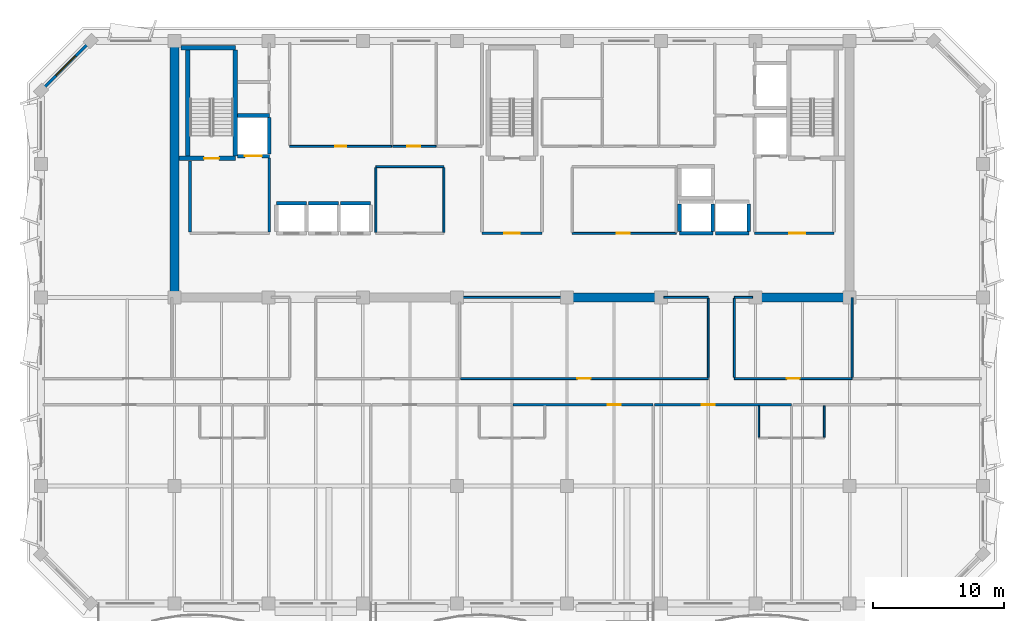
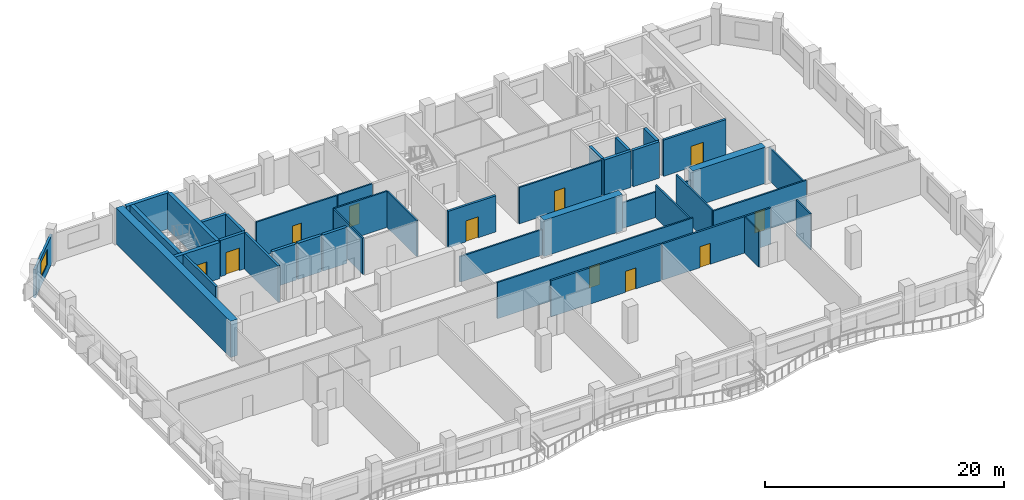
# One storey, part 5 of 10: 41 walls, 11 doors, 1 window, 12 openings.
"""IFC4 building model written with IfcOpenShell, lengths in metres."""

from ifc_helpers import new_model, si_unit, direction, frame, frame_2d, origin, place, context, subcontext, project, spatial, rectangle, extrude, material, layer, layer_set, type_object, element, fill, save


model = new_model("IFC4")

# Units and contexts
model_context = context("Model", 3, precision=1e-05, world=origin(), true_north=direction((0.0, 1.0)))
body_context = subcontext(model_context, "Body", "Model", "MODEL_VIEW")
ifc_project = project(units=[si_unit("LENGTHUNIT", "METRE"), si_unit("AREAUNIT", "SQUARE_METRE"), si_unit("VOLUMEUNIT", "CUBIC_METRE"), si_unit("PLANEANGLEUNIT", "RADIAN"), si_unit("MASSUNIT", "GRAM", prefix="KILO")], contexts=[model_context])

# Site, building, storey
site_placement = place(None, origin())
site = spatial("IfcSite", under=ifc_project, at=site_placement, CompositionType="ELEMENT")
building_placement = place(site_placement, origin())
building = spatial("IfcBuilding", under=site, at=building_placement, Name="Kaelvorn Grand Hotel", CompositionType="ELEMENT")
storey_placement = place(building_placement, frame((0.0, 0.0, 260.75)))
storey = spatial("IfcBuildingStorey", under=building, at=storey_placement, Name="L64", CompositionType="ELEMENT", Elevation=260.75)

# Walls
ifc_material_1 = material(Name="Concrete C50/60", Category="concrete")
ifc_layer_1 = layer(ifc_material_1, 0.699951171875)
ifc_layer_set_1 = layer_set([ifc_layer_1], Name="Concrete C50/60")
wall_type_1 = type_object("IfcWallType", Name="WL-CORE-700-C50", PredefinedType="SHEAR", material=ifc_layer_set_1)
wall_1_placement = place(storey_placement, frame((16.199951171875, 29.39990234375, 0.0), z_axis=(0.0, 0.0, 1.0), x_axis=(0.0, 1.0, 0.0)))
element("IfcWall", 1, at=wall_1_placement, inside=storey, type_object=wall_type_1, Name="L64 Rear-Core West Shear Wall", PredefinedType="SHEAR", context=body_context, shape_type="SweptSolid", body=[
    extrude(rectangle(XDim=19.2001953125, YDim=0.699951171875, at=frame_2d((9.60009765625, 0.0))), origin(), (0.0, 0.0, 1.0), 3.7099609375),
])
wall_2_placement = place(storey_placement, frame((46.0, 29.39990234375, 0.0), z_axis=(0.0, 0.0, 1.0), x_axis=(1.0, 0.0, 0.0)))
element("IfcWall", 2, at=wall_2_placement, inside=storey, type_object=wall_type_1, Name="L64 Rear-Core Coupled Shear Pier S3", PredefinedType="SHEAR", context=body_context, shape_type="SweptSolid", body=[
    extrude(rectangle(XDim=7.60009765625, YDim=0.699951171875, at=frame_2d((3.800048828125, 0.0))), origin(), (0.0, 0.0, 1.0), 3.7099609375),
])
wall_3_placement = place(storey_placement, frame((60.39990234375, 29.39990234375, 0.0), z_axis=(0.0, 0.0, 1.0), x_axis=(1.0, 0.0, 0.0)))
element("IfcWall", 3, at=wall_3_placement, inside=storey, type_object=wall_type_1, Name="L64 Rear-Core Coupled Shear Pier S4", PredefinedType="SHEAR", context=body_context, shape_type="SweptSolid", body=[
    extrude(rectangle(XDim=7.045166015625, YDim=0.699951171875, at=frame_2d((3.5224609375, 0.0))), origin(), (0.0, 0.0, 1.0), 3.7099609375),
])

# Wall, opening, window
ifc_material_2 = material(Name="Concrete C40/50", Category="concrete")
ifc_layer_2 = layer(ifc_material_2, 0.219970703125)
ifc_layer_set_2 = layer_set([ifc_layer_2], Name="Concrete C40/50")
wall_type_2 = type_object("IfcWallType", Name="WL-EXT-220-C40", PredefinedType="SOLIDWALL", material=ifc_layer_set_2)
wall_4_placement = place(storey_placement, frame((9.800048828125, 49.0, 0.0), z_axis=(0.0, 0.0, 1.0), x_axis=(-0.707106781187, -0.707106781187, 0.0)))
wall_4 = element("IfcWall", 4, at=wall_4_placement, inside=storey, type_object=wall_type_2, Name="L64 Exterior Architectural Concrete Wall 06", PredefinedType="SOLIDWALL", context=body_context, shape_type="SweptSolid", body=[
    extrude(rectangle(XDim=5.3740234375, YDim=0.219970703125, at=frame_2d((2.68701171875, 0.0))), origin(), (0.0, 0.0, 1.0), 2.909912109375),
])
opening_1_placement = place(wall_4_placement, frame((1.636962890625, 0.0, 0.85009765625)))
opening_1 = element("IfcOpeningElement", 5, at=opening_1_placement, cuts=wall_4, Name="Opening W7", PredefinedType="OPENING", context=body_context, shape_type="SweptSolid", body=[
    extrude(rectangle(XDim=2.10009765625, YDim=1.60009765625, at=frame_2d((1.050048828125, 0.800048828125))), frame((0.0, 0.1201171875, 0.0), z_axis=(0.0, -1.0, 0.0), x_axis=(1.0, 0.0, 0.0)), (0.0, 0.0, 1.0), 0.239990234375),
])
ifc_material_3 = material(Name="Laminated Low-E Glass", Category="glass")
window_type = type_object("IfcWindowType", Name="WIN-CHM-2100x1600", PartitioningType="SINGLE_PANEL", PredefinedType="WINDOW", material=ifc_material_3)
window_placement = place(opening_1_placement, origin())
window = element("IfcWindow", 6, at=window_placement, inside=storey, type_object=window_type, Name="L64 Chamfered 45-Degree Corner Window NW", OverallHeight=1.60009765625, OverallWidth=2.10009765625, PartitioningType="SINGLE_PANEL", PredefinedType="WINDOW", context=body_context, shape_type="SweptSolid", body=[
    extrude(rectangle(XDim=2.10009765625, YDim=1.60009765625, at=frame_2d((1.050048828125, 0.800048828125))), frame((0.0, 0.030029296875, 0.0), z_axis=(0.0, -1.0, 0.0), x_axis=(1.0, 0.0, 0.0)), (0.0, 0.0, 1.0), 0.06005859375),
])
fill(opening_1, window)

# Walls
ifc_material_4 = material(Name="Moisture-Resistant Tile & Stud Board")
ifc_layer_3 = layer(ifc_material_4, 0.125)
ifc_layer_set_3 = layer_set([ifc_layer_3], Name="Moisture-Resistant Tile & Stud Board")
wall_type_3 = type_object("IfcWallType", Name="WL-PART-125-WET", PredefinedType="PARTITIONING", material=ifc_layer_set_3)
for number, where, z_axis, x_axis, name in (
    (7, (60.86669921875, 18.717529296875, 0.0), (0.0, 0.0, 1.0), (0.0, 1.0, 0.0), "L64 En-suite Bathroom L64-05 W Partition"),
    (8, (65.86669921875, 18.717529296875, 0.0), (0.0, 0.0, 1.0), (0.0, 1.0, 0.0), "L64 En-suite Bathroom L64-06 E Partition"),
):
    element("IfcWall", number, at=place(storey_placement, frame(where, z_axis=z_axis, x_axis=x_axis)), inside=storey, type_object=wall_type_3, Name=name, PredefinedType="PARTITIONING", context=body_context, shape_type="SweptSolid", body=[
        extrude(rectangle(XDim=2.387451171875, YDim=0.125, at=frame_2d((1.19384765625, 0.0))), origin(), (0.0, 0.0, 1.0), 3.7099609375),
    ])
ifc_material_5 = material(Name="Acoustic Gypsum & Stud Partition")
ifc_layer_4 = layer(ifc_material_5, 0.14990234375)
ifc_layer_set_4 = layer_set([ifc_layer_4], Name="Acoustic Gypsum & Stud Partition")
wall_type_4 = type_object("IfcWallType", Name="WL-PART-150-EI60", PredefinedType="PARTITIONING", material=ifc_layer_set_4)
wall_5_placement = place(storey_placement, frame((31.60009765625, 39.39990234375, 0.0), z_axis=(0.0, 0.0, 1.0), x_axis=(1.0, 0.0, 0.0)))
element("IfcWall", 9, at=wall_5_placement, inside=storey, type_object=wall_type_4, Name="L64 Core Telecoms & BMS Server Room N Partition", PredefinedType="PARTITIONING", context=body_context, shape_type="SweptSolid", body=[
    extrude(rectangle(XDim=5.199951171875, YDim=0.14990234375, at=frame_2d((2.60009765625, 0.0))), origin(), (0.0, 0.0, 1.0), 3.7099609375),
])
for number, where, z_axis, x_axis, name in (
    (10, (31.60009765625, 34.3798828125, 0.0), (0.0, 0.0, 1.0), (0.0, 1.0, 0.0), "L64 Core Telecoms & BMS Server Room W Partition"),
    (11, (36.800048828125, 34.3798828125, 0.0), (0.0, 0.0, 1.0), (0.0, 1.0, 0.0), "L64 Core Telecoms & BMS Server Room E Partition"),
):
    element("IfcWall", number, at=place(storey_placement, frame(where, z_axis=z_axis, x_axis=x_axis)), inside=storey, type_object=wall_type_4, Name=name, PredefinedType="PARTITIONING", context=body_context, shape_type="SweptSolid", body=[
        extrude(rectangle(XDim=4.940185546875, YDim=0.14990234375, at=frame_2d((2.47021484375, 0.0))), origin(), (0.0, 0.0, 1.0), 3.7099609375),
    ])

# Wall, opening, door
wall_6_placement = place(storey_placement, frame((46.60009765625, 34.300048828125, 0.0), z_axis=(0.0, 0.0, 1.0), x_axis=(1.0, 0.0, 0.0)))
wall_6 = element("IfcWall", 12, at=wall_6_placement, inside=storey, type_object=wall_type_4, Name="L64 Sky Concierge & Butler Pantry Lounge S Partition", PredefinedType="PARTITIONING", context=body_context, shape_type="SweptSolid", body=[
    extrude(rectangle(XDim=7.949951171875, YDim=0.14990234375, at=frame_2d((3.97509765625, 0.0))), origin(), (0.0, 0.0, 1.0), 3.7099609375),
])
opening_2_placement = place(wall_6_placement, frame((3.39990234375, 0.0, 0.0)))
opening_2 = element("IfcOpeningElement", 13, at=opening_2_placement, cuts=wall_6, Name="Opening DI3", PredefinedType="OPENING", context=body_context, shape_type="SweptSolid", body=[
    extrude(rectangle(XDim=1.0, YDim=2.14990234375, at=frame_2d((0.5, 1.074951171875))), frame((0.0, 0.0849609375, 0.0), z_axis=(0.0, -1.0, 0.0), x_axis=(1.0, 0.0, 0.0)), (0.0, 0.0, 1.0), 0.169921875),
])
ifc_material_6 = material(Name="Timber Veneer Fire Leaf", Category="wood")
door_type_1 = type_object("IfcDoorType", Name="DR-INT-GUEST-1000x2150", OperationType="NOTDEFINED", PredefinedType="DOOR", material=ifc_material_6)
door_1_placement = place(opening_2_placement, origin())
door_1 = element("IfcDoor", 14, at=door_1_placement, inside=storey, type_object=door_type_1, Name="L64 Sky Concierge & Butler Pantry Lounge Door", OperationType="SINGLE_SWING_RIGHT", OverallHeight=2.14990234375, OverallWidth=1.0, PredefinedType="DOOR", context=body_context, shape_type="SweptSolid", body=[
    extrude(rectangle(XDim=1.0, YDim=2.14990234375, at=frame_2d((0.5, 1.074951171875))), frame((0.0, 0.02490234375, 0.0), z_axis=(0.0, -1.0, 0.0), x_axis=(1.0, 0.0, 0.0)), (0.0, 0.0, 1.0), 0.050048828125),
])
fill(opening_2, door_1)

wall_7_placement = place(storey_placement, frame((25.0, 40.949951171875, 0.0), z_axis=(0.0, 0.0, 1.0), x_axis=(1.0, 0.0, 0.0)))
wall_7 = element("IfcWall", 15, at=wall_7_placement, inside=storey, type_object=wall_type_4, Name="L64 Housekeeping & Linen Room S Partition", PredefinedType="PARTITIONING", context=body_context, shape_type="SweptSolid", body=[
    extrude(rectangle(XDim=7.800048828125, YDim=0.14990234375, at=frame_2d((3.89990234375, 0.0))), origin(), (0.0, 0.0, 1.0), 3.7099609375),
])
opening_3_placement = place(wall_7_placement, frame((3.47509765625, 0.0, 0.0)))
opening_3 = element("IfcOpeningElement", 16, at=opening_3_placement, cuts=wall_7, Name="Opening DI7", PredefinedType="OPENING", context=body_context, shape_type="SweptSolid", body=[
    extrude(rectangle(XDim=0.85009765625, YDim=2.10009765625, at=frame_2d((0.425048828125, 1.050048828125))), frame((0.0, 0.0849609375, 0.0), z_axis=(0.0, -1.0, 0.0), x_axis=(1.0, 0.0, 0.0)), (0.0, 0.0, 1.0), 0.169921875),
])
ifc_material_7 = material(Name="Powder-Coated Steel Leaf", Category="steel")
door_type_2 = type_object("IfcDoorType", Name="DR-INT-RISER-850x2100", OperationType="NOTDEFINED", PredefinedType="DOOR", material=ifc_material_7)
door_2_placement = place(opening_3_placement, origin())
door_2 = element("IfcDoor", 17, at=door_2_placement, inside=storey, type_object=door_type_2, Name="L64 Housekeeping & Linen Room Door", OperationType="SINGLE_SWING_LEFT", OverallHeight=2.10009765625, OverallWidth=0.85009765625, PredefinedType="DOOR", context=body_context, shape_type="SweptSolid", body=[
    extrude(rectangle(XDim=0.85009765625, YDim=2.10009765625, at=frame_2d((0.425048828125, 1.050048828125))), frame((0.0, 0.02490234375, 0.0), z_axis=(0.0, -1.0, 0.0), x_axis=(1.0, 0.0, 0.0)), (0.0, 0.0, 1.0), 0.050048828125),
])
fill(opening_3, door_2)

wall_8_placement = place(storey_placement, frame((32.8798828125, 40.949951171875, 0.0), z_axis=(0.0, 0.0, 1.0), x_axis=(1.0, 0.0, 0.0)))
wall_8 = element("IfcWall", 18, at=wall_8_placement, inside=storey, type_object=wall_type_4, Name="L64 Floor Butler Tea Point S Partition", PredefinedType="PARTITIONING", context=body_context, shape_type="SweptSolid", body=[
    extrude(rectangle(XDim=3.320068359375, YDim=0.14990234375, at=frame_2d((1.66015625, 0.0))), origin(), (0.0, 0.0, 1.0), 3.7099609375),
])
opening_4_placement = place(wall_8_placement, frame((1.1201171875, 0.0, 0.0)))
opening_4 = element("IfcOpeningElement", 19, at=opening_4_placement, cuts=wall_8, Name="Opening DI3", PredefinedType="OPENING", context=body_context, shape_type="SweptSolid", body=[
    extrude(rectangle(XDim=1.0, YDim=2.14990234375, at=frame_2d((0.5, 1.074951171875))), frame((0.0, 0.0849609375, 0.0), z_axis=(0.0, -1.0, 0.0), x_axis=(1.0, 0.0, 0.0)), (0.0, 0.0, 1.0), 0.169921875),
])
door_3_placement = place(opening_4_placement, origin())
door_3 = element("IfcDoor", 20, at=door_3_placement, inside=storey, type_object=door_type_1, Name="L64 Floor Butler Tea Point Door", OperationType="SINGLE_SWING_RIGHT", OverallHeight=2.14990234375, OverallWidth=1.0, PredefinedType="DOOR", context=body_context, shape_type="SweptSolid", body=[
    extrude(rectangle(XDim=1.0, YDim=2.14990234375, at=frame_2d((0.5, 1.074951171875))), frame((0.0, 0.02490234375, 0.0), z_axis=(0.0, -1.0, 0.0), x_axis=(1.0, 0.0, 0.0)), (0.0, 0.0, 1.0), 0.050048828125),
])
fill(opening_4, door_3)

wall_9_placement = place(storey_placement, frame((38.080078125, 23.199951171875, 0.0), z_axis=(0.0, 0.0, 1.0), x_axis=(1.0, 0.0, 0.0)))
wall_9 = element("IfcWall", 21, at=wall_9_placement, inside=storey, type_object=wall_type_4, Name="L64 Conference Seminar Room S Partition", PredefinedType="PARTITIONING", context=body_context, shape_type="SweptSolid", body=[
    extrude(rectangle(XDim=18.919921875, YDim=0.14990234375, at=frame_2d((9.4599609375, 0.0))), origin(), (0.0, 0.0, 1.0), 3.7099609375),
])
opening_5_placement = place(wall_9_placement, frame((8.919921875, 0.0, 0.0)))
opening_5 = element("IfcOpeningElement", 22, at=opening_5_placement, cuts=wall_9, Name="Opening DI3", PredefinedType="OPENING", context=body_context, shape_type="SweptSolid", body=[
    extrude(rectangle(XDim=1.0, YDim=2.14990234375, at=frame_2d((0.5, 1.074951171875))), frame((0.0, 0.0849609375, 0.0), z_axis=(0.0, -1.0, 0.0), x_axis=(1.0, 0.0, 0.0)), (0.0, 0.0, 1.0), 0.169921875),
])
door_4_placement = place(opening_5_placement, origin())
door_4 = element("IfcDoor", 23, at=door_4_placement, inside=storey, type_object=door_type_1, Name="L64 Conference Seminar Room Door", OperationType="SINGLE_SWING_LEFT", OverallHeight=2.14990234375, OverallWidth=1.0, PredefinedType="DOOR", context=body_context, shape_type="SweptSolid", body=[
    extrude(rectangle(XDim=1.0, YDim=2.14990234375, at=frame_2d((0.5, 1.074951171875))), frame((0.0, 0.02490234375, 0.0), z_axis=(0.0, -1.0, 0.0), x_axis=(1.0, 0.0, 0.0)), (0.0, 0.0, 1.0), 0.050048828125),
])
fill(opening_5, door_4)

# Walls
wall_10_placement = place(storey_placement, frame((38.010009765625, 29.39990234375, 0.0), z_axis=(0.0, 0.0, 1.0), x_axis=(1.0, 0.0, 0.0)))
element("IfcWall", 24, at=wall_10_placement, inside=storey, type_object=wall_type_4, Name="L64 Conference Seminar Room N Partition (1)", PredefinedType="PARTITIONING", context=body_context, shape_type="SweptSolid", body=[
    extrude(rectangle(XDim=7.97998046875, YDim=0.14990234375, at=frame_2d((3.989990234375, 0.0))), origin(), (0.0, 0.0, 1.0), 2.610107421875),
])
wall_11_placement = place(storey_placement, frame((53.610107421875, 29.39990234375, 0.0), z_axis=(0.0, 0.0, 1.0), x_axis=(1.0, 0.0, 0.0)))
element("IfcWall", 25, at=wall_11_placement, inside=storey, type_object=wall_type_4, Name="L64 Conference Seminar Room N Partition (2)", PredefinedType="PARTITIONING", context=body_context, shape_type="SweptSolid", body=[
    extrude(rectangle(XDim=3.389892578125, YDim=0.14990234375, at=frame_2d((1.69482421875, 0.0))), origin(), (0.0, 0.0, 1.0), 2.610107421875),
])
wall_12_placement = place(storey_placement, frame((57.0, 23.280029296875, 0.0), z_axis=(0.0, 0.0, 1.0), x_axis=(0.0, 1.0, 0.0)))
element("IfcWall", 26, at=wall_12_placement, inside=storey, type_object=wall_type_4, Name="L64 Conference Seminar Room E Partition", PredefinedType="PARTITIONING", context=body_context, shape_type="SweptSolid", body=[
    extrude(rectangle(XDim=6.0400390625, YDim=0.14990234375, at=frame_2d((3.02001953125, 0.0))), origin(), (0.0, 0.0, 1.0), 3.35009765625),
])

# Wall, opening, door
wall_13_placement = place(storey_placement, frame((59.0, 23.199951171875, 0.0), z_axis=(0.0, 0.0, 1.0), x_axis=(1.0, 0.0, 0.0)))
wall_13 = element("IfcWall", 27, at=wall_13_placement, inside=storey, type_object=wall_type_4, Name="L64 Concierge Admin Office S Partition", PredefinedType="PARTITIONING", context=body_context, shape_type="SweptSolid", body=[
    extrude(rectangle(XDim=9.0, YDim=0.14990234375, at=frame_2d((4.5, 0.0))), origin(), (0.0, 0.0, 1.0), 3.7099609375),
])
opening_6_placement = place(wall_13_placement, frame((4.0, 0.0, 0.0)))
opening_6 = element("IfcOpeningElement", 28, at=opening_6_placement, cuts=wall_13, Name="Opening DI3", PredefinedType="OPENING", context=body_context, shape_type="SweptSolid", body=[
    extrude(rectangle(XDim=1.0, YDim=2.14990234375, at=frame_2d((0.5, 1.074951171875))), frame((0.0, 0.0849609375, 0.0), z_axis=(0.0, -1.0, 0.0), x_axis=(1.0, 0.0, 0.0)), (0.0, 0.0, 1.0), 0.169921875),
])
door_5_placement = place(opening_6_placement, origin())
door_5 = element("IfcDoor", 29, at=door_5_placement, inside=storey, type_object=door_type_1, Name="L64 Concierge Admin Office Door", OperationType="SINGLE_SWING_RIGHT", OverallHeight=2.14990234375, OverallWidth=1.0, PredefinedType="DOOR", context=body_context, shape_type="SweptSolid", body=[
    extrude(rectangle(XDim=1.0, YDim=2.14990234375, at=frame_2d((0.5, 1.074951171875))), frame((0.0, 0.02490234375, 0.0), z_axis=(0.0, -1.0, 0.0), x_axis=(1.0, 0.0, 0.0)), (0.0, 0.0, 1.0), 0.050048828125),
])
fill(opening_6, door_5)

# Walls
wall_14_placement = place(storey_placement, frame((59.0, 29.39990234375, 0.0), z_axis=(0.0, 0.0, 1.0), x_axis=(1.0, 0.0, 0.0)))
element("IfcWall", 30, at=wall_14_placement, inside=storey, type_object=wall_type_4, Name="L64 Concierge Admin Office N Partition", PredefinedType="PARTITIONING", context=body_context, shape_type="SweptSolid", body=[
    extrude(rectangle(XDim=1.389892578125, YDim=0.14990234375, at=frame_2d((0.69482421875, 0.0))), origin(), (0.0, 0.0, 1.0), 2.610107421875),
])
wall_15_placement = place(storey_placement, frame((59.0, 23.280029296875, 0.0), z_axis=(0.0, 0.0, 1.0), x_axis=(0.0, 1.0, 0.0)))
element("IfcWall", 31, at=wall_15_placement, inside=storey, type_object=wall_type_4, Name="L64 Concierge Admin Office W Partition", PredefinedType="PARTITIONING", context=body_context, shape_type="SweptSolid", body=[
    extrude(rectangle(XDim=6.0400390625, YDim=0.14990234375, at=frame_2d((3.02001953125, 0.0))), origin(), (0.0, 0.0, 1.0), 3.7099609375),
])
wall_16_placement = place(storey_placement, frame((68.0, 23.280029296875, 0.0), z_axis=(0.0, 0.0, 1.0), x_axis=(0.0, 1.0, 0.0)))
element("IfcWall", 32, at=wall_16_placement, inside=storey, type_object=wall_type_4, Name="L64 Concierge Admin Office E Partition", PredefinedType="PARTITIONING", context=body_context, shape_type="SweptSolid", body=[
    extrude(rectangle(XDim=6.10986328125, YDim=0.14990234375, at=frame_2d((3.054931640625, 0.0))), origin(), (0.0, 0.0, 1.0), 3.35009765625),
])

# Wall, opening, door
ifc_layer_5 = layer(ifc_material_5, 0.179931640625)
ifc_layer_set_5 = layer_set([ifc_layer_5], Name="Acoustic Gypsum & Stud Partition")
wall_type_5 = type_object("IfcWallType", Name="WL-PART-180-EI60", PredefinedType="PARTITIONING", material=ifc_layer_set_5)
wall_17_placement = place(storey_placement, frame((42.094970703125, 21.199951171875, 0.0), z_axis=(0.0, 0.0, 1.0), x_axis=(1.0, 0.0, 0.0)))
wall_17 = element("IfcWall", 33, at=wall_17_placement, inside=storey, type_object=wall_type_5, Name="L64 Ambassador Junior Suite L64-04 N Partition", PredefinedType="PARTITIONING", context=body_context, shape_type="SweptSolid", body=[
    extrude(rectangle(XDim=10.688232421875, YDim=0.179931640625, at=frame_2d((5.34423828125, 0.0))), origin(), (0.0, 0.0, 1.0), 3.7099609375),
])
opening_7_placement = place(wall_17_placement, frame((7.205078125, 0.0, 0.0)))
opening_7 = element("IfcOpeningElement", 34, at=opening_7_placement, cuts=wall_17, Name="Opening DI3", PredefinedType="OPENING", context=body_context, shape_type="SweptSolid", body=[
    extrude(rectangle(XDim=1.0, YDim=2.14990234375, at=frame_2d((0.5, 1.074951171875))), frame((0.0, 0.10009765625, 0.0), z_axis=(0.0, -1.0, 0.0), x_axis=(1.0, 0.0, 0.0)), (0.0, 0.0, 1.0), 0.199951171875),
])
door_6_placement = place(opening_7_placement, origin())
door_6 = element("IfcDoor", 35, at=door_6_placement, inside=storey, type_object=door_type_1, Name="L64 Ambassador Junior Suite L64-04 Door", OperationType="SINGLE_SWING_LEFT", OverallHeight=2.14990234375, OverallWidth=1.0, PredefinedType="DOOR", context=body_context, shape_type="SweptSolid", body=[
    extrude(rectangle(XDim=1.0, YDim=2.14990234375, at=frame_2d((0.5, 1.074951171875))), frame((0.0, 0.02490234375, 0.0), z_axis=(0.0, -1.0, 0.0), x_axis=(1.0, 0.0, 0.0)), (0.0, 0.0, 1.0), 0.050048828125),
])
fill(opening_7, door_6)

wall_18_placement = place(storey_placement, frame((52.878173828125, 21.199951171875, 0.0), z_axis=(0.0, 0.0, 1.0), x_axis=(1.0, 0.0, 0.0)))
wall_18 = element("IfcWall", 36, at=wall_18_placement, inside=storey, type_object=wall_type_5, Name="L64 Ambassador Junior Suite L64-05 N Partition", PredefinedType="PARTITIONING", context=body_context, shape_type="SweptSolid", body=[
    extrude(rectangle(XDim=10.488525390625, YDim=0.179931640625, at=frame_2d((5.244140625, 0.0))), origin(), (0.0, 0.0, 1.0), 3.7099609375),
])
opening_8_placement = place(wall_18_placement, frame((3.621826171875, 0.0, 0.0)))
opening_8 = element("IfcOpeningElement", 37, at=opening_8_placement, cuts=wall_18, Name="Opening DI3", PredefinedType="OPENING", context=body_context, shape_type="SweptSolid", body=[
    extrude(rectangle(XDim=1.0, YDim=2.14990234375, at=frame_2d((0.5, 1.074951171875))), frame((0.0, 0.10009765625, 0.0), z_axis=(0.0, -1.0, 0.0), x_axis=(1.0, 0.0, 0.0)), (0.0, 0.0, 1.0), 0.199951171875),
])
door_7_placement = place(opening_8_placement, origin())
door_7 = element("IfcDoor", 38, at=door_7_placement, inside=storey, type_object=door_type_1, Name="L64 Ambassador Junior Suite L64-05 Door", OperationType="SINGLE_SWING_LEFT", OverallHeight=2.14990234375, OverallWidth=1.0, PredefinedType="DOOR", context=body_context, shape_type="SweptSolid", body=[
    extrude(rectangle(XDim=1.0, YDim=2.14990234375, at=frame_2d((0.5, 1.074951171875))), frame((0.0, 0.02490234375, 0.0), z_axis=(0.0, -1.0, 0.0), x_axis=(1.0, 0.0, 0.0)), (0.0, 0.0, 1.0), 0.050048828125),
])
fill(opening_8, door_7)

# Walls
ifc_layer_6 = layer(ifc_material_2, 0.219970703125)
ifc_layer_set_6 = layer_set([ifc_layer_6], Name="Concrete C40/50")
wall_type_6 = type_object("IfcWallType", Name="WL-PART-220-EI120", PredefinedType="PARTITIONING", material=ifc_layer_set_6)
wall_19_placement = place(storey_placement, frame((17.39990234375, 34.4150390625, 0.0), z_axis=(0.0, 0.0, 1.0), x_axis=(0.0, 1.0, 0.0)))
element("IfcWall", 39, at=wall_19_placement, inside=storey, type_object=wall_type_6, Name="L64 Firefighting Lift Lobby 1 W Partition", PredefinedType="PARTITIONING", context=body_context, shape_type="SweptSolid", body=[
    extrude(rectangle(XDim=5.429931640625, YDim=0.219970703125, at=frame_2d((2.71484375, 0.0))), origin(), (0.0, 0.0, 1.0), 3.7099609375),
])
wall_20_placement = place(storey_placement, frame((23.449951171875, 34.4150390625, 0.0), z_axis=(0.0, 0.0, 1.0), x_axis=(0.0, 1.0, 0.0)))
element("IfcWall", 40, at=wall_20_placement, inside=storey, type_object=wall_type_6, Name="L64 Firefighting Lift Lobby 1 E Partition", PredefinedType="PARTITIONING", context=body_context, shape_type="SweptSolid", body=[
    extrude(rectangle(XDim=5.639892578125, YDim=0.219970703125, at=frame_2d((2.81982421875, 0.0))), origin(), (0.0, 0.0, 1.0), 3.7099609375),
])

# Wall, opening, door
wall_21_placement = place(storey_placement, frame((60.550048828125, 34.300048828125, 0.0), z_axis=(0.0, 0.0, 1.0), x_axis=(1.0, 0.0, 0.0)))
wall_21 = element("IfcWall", 41, at=wall_21_placement, inside=storey, type_object=wall_type_6, Name="L64 Firefighting Lift Lobby 2 S Partition", PredefinedType="PARTITIONING", context=body_context, shape_type="SweptSolid", body=[
    extrude(rectangle(XDim=6.050048828125, YDim=0.219970703125, at=frame_2d((3.02490234375, 0.0))), origin(), (0.0, 0.0, 1.0), 3.7099609375),
])
opening_9_placement = place(wall_21_placement, frame((2.64990234375, 0.0, 0.0)))
opening_9 = element("IfcOpeningElement", 42, at=opening_9_placement, cuts=wall_21, Name="Opening DI2", PredefinedType="OPENING", context=body_context, shape_type="SweptSolid", body=[
    extrude(rectangle(XDim=1.199951171875, YDim=2.14990234375, at=frame_2d((0.60009765625, 1.074951171875))), frame((0.0, 0.1201171875, 0.0), z_axis=(0.0, -1.0, 0.0), x_axis=(1.0, 0.0, 0.0)), (0.0, 0.0, 1.0), 0.239990234375),
])
door_type_3 = type_object("IfcDoorType", Name="DR-INT-FFLOB-1200x2150", OperationType="NOTDEFINED", PredefinedType="DOOR", material=ifc_material_6)
door_8_placement = place(opening_9_placement, origin())
door_8 = element("IfcDoor", 43, at=door_8_placement, inside=storey, type_object=door_type_3, Name="L64 Firefighting Lift Lobby 2 Door", OperationType="SINGLE_SWING_RIGHT", OverallHeight=2.14990234375, OverallWidth=1.199951171875, PredefinedType="DOOR", context=body_context, shape_type="SweptSolid", body=[
    extrude(rectangle(XDim=1.199951171875, YDim=2.14990234375, at=frame_2d((0.60009765625, 1.074951171875))), frame((0.0, 0.02490234375, 0.0), z_axis=(0.0, -1.0, 0.0), x_axis=(1.0, 0.0, 0.0)), (0.0, 0.0, 1.0), 0.050048828125),
])
fill(opening_9, door_8)

wall_22_placement = place(storey_placement, frame((39.699951171875, 34.300048828125, 0.0), z_axis=(0.0, 0.0, 1.0), x_axis=(1.0, 0.0, 0.0)))
wall_22 = element("IfcWall", 44, at=wall_22_placement, inside=storey, type_object=wall_type_6, Name="L64 Central Stair Escape Vestibule S Partition", PredefinedType="PARTITIONING", context=body_context, shape_type="SweptSolid", body=[
    extrude(rectangle(XDim=4.60009765625, YDim=0.219970703125, at=frame_2d((2.300048828125, 0.0))), origin(), (0.0, 0.0, 1.0), 3.7099609375),
])
opening_10_placement = place(wall_22_placement, frame((1.699951171875, 0.0, 0.0)))
opening_10 = element("IfcOpeningElement", 45, at=opening_10_placement, cuts=wall_22, Name="Opening DI2", PredefinedType="OPENING", context=body_context, shape_type="SweptSolid", body=[
    extrude(rectangle(XDim=1.199951171875, YDim=2.14990234375, at=frame_2d((0.60009765625, 1.074951171875))), frame((0.0, 0.1201171875, 0.0), z_axis=(0.0, -1.0, 0.0), x_axis=(1.0, 0.0, 0.0)), (0.0, 0.0, 1.0), 0.239990234375),
])
door_9_placement = place(opening_10_placement, origin())
door_9 = element("IfcDoor", 46, at=door_9_placement, inside=storey, type_object=door_type_3, Name="L64 Central Stair Escape Vestibule Door", OperationType="SINGLE_SWING_LEFT", OverallHeight=2.14990234375, OverallWidth=1.199951171875, PredefinedType="DOOR", context=body_context, shape_type="SweptSolid", body=[
    extrude(rectangle(XDim=1.199951171875, YDim=2.14990234375, at=frame_2d((0.60009765625, 1.074951171875))), frame((0.0, 0.02490234375, 0.0), z_axis=(0.0, -1.0, 0.0), x_axis=(1.0, 0.0, 0.0)), (0.0, 0.0, 1.0), 0.050048828125),
])
fill(opening_10, door_9)

# Walls
ifc_layer_7 = layer(ifc_material_1, 0.280029296875)
ifc_layer_set_7 = layer_set([ifc_layer_7], Name="Concrete C50/60")
wall_type_7 = type_object("IfcWallType", Name="WL-SHAFT-280-C50", PredefinedType="SHEAR", material=ifc_layer_set_7)
for number, where, z_axis, x_axis, name in (
    (47, (24.0, 36.60009765625, 0.0), (0.0, 0.0, 1.0), (1.0, 0.0, 0.0), "L64 Lift PL-H1 Shaft North Wall"),
    (48, (26.449951171875, 36.60009765625, 0.0), (0.0, 0.0, 1.0), (1.0, 0.0, 0.0), "L64 Lift PL-H2 Shaft North Wall"),
    (49, (28.89990234375, 36.60009765625, 0.0), (0.0, 0.0, 1.0), (1.0, 0.0, 0.0), "L64 Lift PL-H3 Shaft North Wall"),
):
    element("IfcWall", number, at=place(storey_placement, frame(where, z_axis=z_axis, x_axis=x_axis)), inside=storey, type_object=wall_type_7, Name=name, PredefinedType="SHEAR", context=body_context, shape_type="SweptSolid", body=[
        extrude(rectangle(XDim=2.300048828125, YDim=0.280029296875, at=frame_2d((1.14990234375, 0.0))), origin(), (0.0, 0.0, 1.0), 3.7099609375),
    ])
wall_23_placement = place(storey_placement, frame((54.800048828125, 34.300048828125, 0.0), z_axis=(0.0, 0.0, 1.0), x_axis=(1.0, 0.0, 0.0)))
element("IfcWall", 50, at=wall_23_placement, inside=storey, type_object=wall_type_7, Name="L64 Lift OL-1 Shaft South Wall", PredefinedType="SHEAR", context=body_context, shape_type="SweptSolid", body=[
    extrude(rectangle(XDim=2.550048828125, YDim=0.280029296875, at=frame_2d((1.27490234375, 0.0))), origin(), (0.0, 0.0, 1.0), 3.7099609375),
])
for number, where, z_axis, x_axis, name in (
    (51, (54.800048828125, 34.445068359375, 0.0), (0.0, 0.0, 1.0), (0.0, 1.0, 0.0), "L64 Lift OL-1 Shaft West Wall"),
    (52, (57.35009765625, 34.445068359375, 0.0), (0.0, 0.0, 1.0), (0.0, 1.0, 0.0), "L64 Lift OL-1 Shaft East Wall"),
):
    element("IfcWall", number, at=place(storey_placement, frame(where, z_axis=z_axis, x_axis=x_axis)), inside=storey, type_object=wall_type_7, Name=name, PredefinedType="SHEAR", context=body_context, shape_type="SweptSolid", body=[
        extrude(rectangle(XDim=2.10986328125, YDim=0.280029296875, at=frame_2d((1.054931640625, 0.0))), origin(), (0.0, 0.0, 1.0), 3.7099609375),
    ])
wall_24_placement = place(storey_placement, frame((57.550048828125, 34.300048828125, 0.0), z_axis=(0.0, 0.0, 1.0), x_axis=(1.0, 0.0, 0.0)))
element("IfcWall", 53, at=wall_24_placement, inside=storey, type_object=wall_type_7, Name="L64 Lift OL-2 Shaft South Wall", PredefinedType="SHEAR", context=body_context, shape_type="SweptSolid", body=[
    extrude(rectangle(XDim=2.550048828125, YDim=0.280029296875, at=frame_2d((1.27490234375, 0.0))), origin(), (0.0, 0.0, 1.0), 3.7099609375),
])
wall_25_placement = place(storey_placement, frame((60.10009765625, 34.445068359375, 0.0), z_axis=(0.0, 0.0, 1.0), x_axis=(0.0, 1.0, 0.0)))
element("IfcWall", 54, at=wall_25_placement, inside=storey, type_object=wall_type_7, Name="L64 Lift OL-2 Shaft East Wall", PredefinedType="SHEAR", context=body_context, shape_type="SweptSolid", body=[
    extrude(rectangle(XDim=2.10986328125, YDim=0.280029296875, at=frame_2d((1.054931640625, 0.0))), origin(), (0.0, 0.0, 1.0), 3.7099609375),
])

# Wall, opening, door
wall_26_placement = place(storey_placement, frame((21.034912109375, 40.199951171875, 0.0), z_axis=(0.0, 0.0, 1.0), x_axis=(1.0, 0.0, 0.0)))
wall_26 = element("IfcWall", 55, at=wall_26_placement, inside=storey, type_object=wall_type_7, Name="L64 Lift FFL1 Shaft South Wall", PredefinedType="SHEAR", context=body_context, shape_type="SweptSolid", body=[
    extrude(rectangle(XDim=2.4150390625, YDim=0.280029296875, at=frame_2d((1.20751953125, 0.0))), origin(), (0.0, 0.0, 1.0), 3.7099609375),
])
opening_11_placement = place(wall_26_placement, frame((0.5400390625, 0.0, 0.0)))
opening_11 = element("IfcOpeningElement", 56, at=opening_11_placement, cuts=wall_26, Name="Opening LD-FFL1", PredefinedType="OPENING", context=body_context, shape_type="SweptSolid", body=[
    extrude(rectangle(XDim=1.300048828125, YDim=2.300048828125, at=frame_2d((0.64990234375, 1.14990234375))), frame((0.0, 0.14990234375, 0.0), z_axis=(0.0, -1.0, 0.0), x_axis=(1.0, 0.0, 0.0)), (0.0, 0.0, 1.0), 0.300048828125),
])
ifc_material_8 = material(Name="Stainless Steel", Category="steel")
door_type_4 = type_object("IfcDoorType", Name="DR-LIFT-SERV-1300x2300", OperationType="DOUBLE_DOOR_SLIDING", PredefinedType="DOOR", material=ifc_material_8)
door_10_placement = place(opening_11_placement, origin())
door_10 = element("IfcDoor", 57, at=door_10_placement, inside=storey, type_object=door_type_4, Name="L64 Lift FFL1 Sliding Landing Door LD-FFL1", OperationType="DOUBLE_DOOR_SLIDING", OverallHeight=2.300048828125, OverallWidth=1.300048828125, PredefinedType="DOOR", context=body_context, shape_type="SweptSolid", body=[
    extrude(rectangle(XDim=1.300048828125, YDim=2.300048828125, at=frame_2d((0.64990234375, 1.14990234375))), frame((0.0, 0.02490234375, 0.0), z_axis=(0.0, -1.0, 0.0), x_axis=(1.0, 0.0, 0.0)), (0.0, 0.0, 1.0), 0.050048828125),
])
fill(opening_11, door_10)

# Walls
wall_27_placement = place(storey_placement, frame((21.034912109375, 43.300048828125, 0.0), z_axis=(0.0, 0.0, 1.0), x_axis=(1.0, 0.0, 0.0)))
element("IfcWall", 58, at=wall_27_placement, inside=storey, type_object=wall_type_7, Name="L64 Lift FFL1 Shaft North Wall", PredefinedType="SHEAR", context=body_context, shape_type="SweptSolid", body=[
    extrude(rectangle(XDim=2.4150390625, YDim=0.280029296875, at=frame_2d((1.20751953125, 0.0))), origin(), (0.0, 0.0, 1.0), 3.7099609375),
])
wall_28_placement = place(storey_placement, frame((23.449951171875, 40.344970703125, 0.0), z_axis=(0.0, 0.0, 1.0), x_axis=(0.0, 1.0, 0.0)))
element("IfcWall", 59, at=wall_28_placement, inside=storey, type_object=wall_type_7, Name="L64 Lift FFL1 Shaft East Wall", PredefinedType="SHEAR", context=body_context, shape_type="SweptSolid", body=[
    extrude(rectangle(XDim=2.81005859375, YDim=0.280029296875, at=frame_2d((1.405029296875, 0.0))), origin(), (0.0, 0.0, 1.0), 3.7099609375),
])

# Wall, opening, door
ifc_material_9 = material(Name="Concrete C60/75", Category="concrete")
ifc_layer_8 = layer(ifc_material_9, 0.35009765625)
ifc_layer_set_8 = layer_set([ifc_layer_8], Name="Concrete C60/75")
wall_type_8 = type_object("IfcWallType", Name="WL-SHAFT-350-C60", PredefinedType="SHEAR", material=ifc_layer_set_8)
wall_29_placement = place(storey_placement, frame((16.554931640625, 40.02490234375, 0.0), z_axis=(0.0, 0.0, 1.0), x_axis=(1.0, 0.0, 0.0)))
wall_29 = element("IfcWall", 60, at=wall_29_placement, inside=storey, type_object=wall_type_8, Name="L64 ST1 Stair Shaft South Wall", PredefinedType="SHEAR", context=body_context, shape_type="SweptSolid", body=[
    extrude(rectangle(XDim=4.300048828125, YDim=0.35009765625, at=frame_2d((2.14990234375, 0.0))), origin(), (0.0, 0.0, 1.0), 3.7099609375),
])
opening_12_placement = place(wall_29_placement, frame((1.909912109375, 0.0, 0.0)))
opening_12 = element("IfcOpeningElement", 61, at=opening_12_placement, cuts=wall_29, Name="Opening DI1", PredefinedType="OPENING", context=body_context, shape_type="SweptSolid", body=[
    extrude(rectangle(XDim=1.14990234375, YDim=2.14990234375, at=frame_2d((0.574951171875, 1.074951171875))), frame((0.0, 0.18505859375, 0.0), z_axis=(0.0, -1.0, 0.0), x_axis=(1.0, 0.0, 0.0)), (0.0, 0.0, 1.0), 0.3701171875),
])
door_type_5 = type_object("IfcDoorType", Name="DR-INT-STAIR-1150x2150", OperationType="NOTDEFINED", PredefinedType="DOOR", material=ifc_material_6)
door_11_placement = place(opening_12_placement, origin())
door_11 = element("IfcDoor", 62, at=door_11_placement, inside=storey, type_object=door_type_5, Name="L64 ST1 Exit Stair Fire Door", OperationType="SINGLE_SWING_RIGHT", OverallHeight=2.14990234375, OverallWidth=1.14990234375, PredefinedType="DOOR", context=body_context, shape_type="SweptSolid", body=[
    extrude(rectangle(XDim=1.14990234375, YDim=2.14990234375, at=frame_2d((0.574951171875, 1.074951171875))), frame((0.0, 0.02490234375, 0.0), z_axis=(0.0, -1.0, 0.0), x_axis=(1.0, 0.0, 0.0)), (0.0, 0.0, 1.0), 0.050048828125),
])
fill(opening_12, door_11)

# Walls
wall_30_placement = place(storey_placement, frame((16.705078125, 48.47509765625, 0.0), z_axis=(0.0, 0.0, 1.0), x_axis=(1.0, 0.0, 0.0)))
element("IfcWall", 63, at=wall_30_placement, inside=storey, type_object=wall_type_8, Name="L64 ST1 Stair Shaft North Wall", PredefinedType="SHEAR", context=body_context, shape_type="SweptSolid", body=[
    extrude(rectangle(XDim=4.14990234375, YDim=0.35009765625, at=frame_2d((2.074951171875, 0.0))), origin(), (0.0, 0.0, 1.0), 3.7099609375),
])
for number, where, z_axis, x_axis, name in (
    (64, (17.22509765625, 40.205078125, 0.0), (0.0, 0.0, 1.0), (0.0, 1.0, 0.0), "L64 ST1 Stair Shaft West Wall"),
    (65, (20.85498046875, 40.205078125, 0.0), (0.0, 0.0, 1.0), (0.0, 1.0, 0.0), "L64 ST1 Stair Shaft East Wall"),
):
    element("IfcWall", number, at=place(storey_placement, frame(where, z_axis=z_axis, x_axis=x_axis)), inside=storey, type_object=wall_type_8, Name=name, PredefinedType="SHEAR", context=body_context, shape_type="SweptSolid", body=[
        extrude(rectangle(XDim=8.08984375, YDim=0.35009765625, at=frame_2d((4.044921875, 0.0))), origin(), (0.0, 0.0, 1.0), 3.7099609375),
    ])

save(model, "model.ifc")
